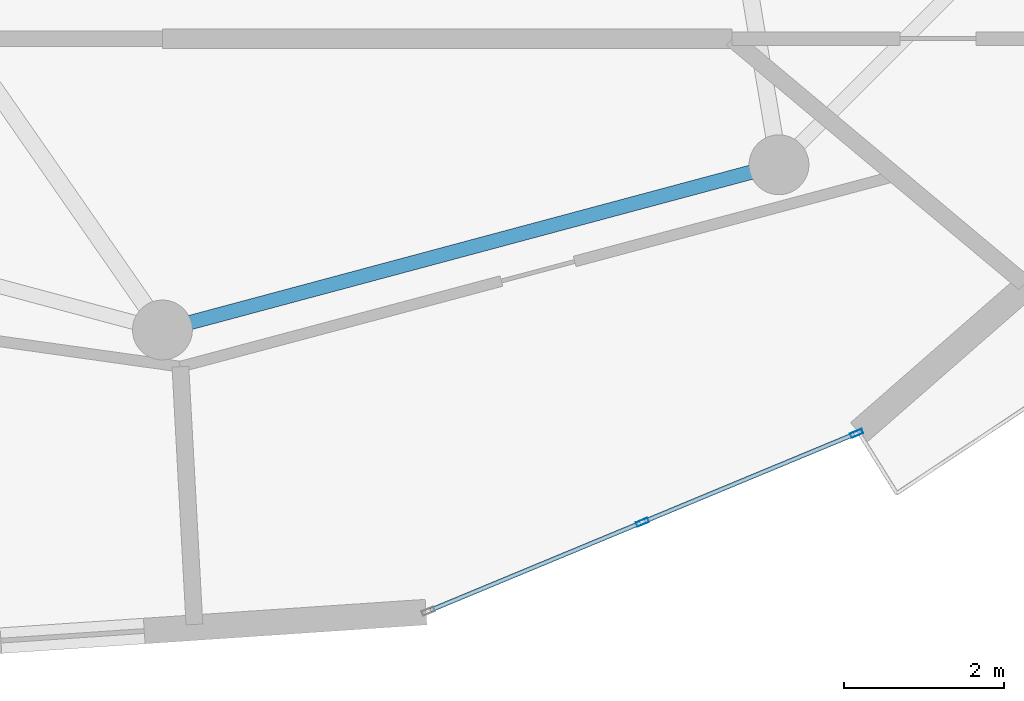
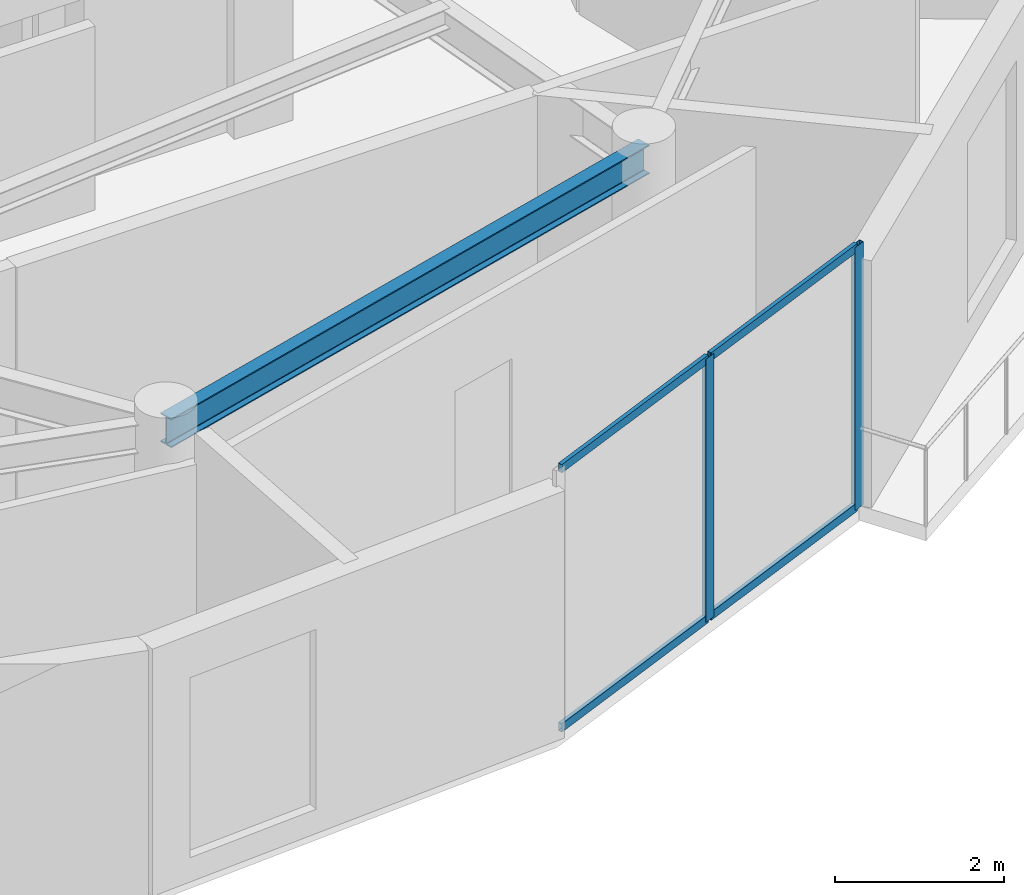
# One storey, part 6 of 22: 6 members, 1 beam, 1 element without a shape of its own.
"""IFC4 building model written with IfcOpenShell, lengths in metres."""

from ifc_helpers import new_model, si_unit, direction, frame, origin, origin_2d, place, context, subcontext, project, spatial, hollow_rectangle, i_section, extrude, source, transform, mapped, material, layer, layer_set, material_profile, profile_set, type_object, element, aggregate, save


model = new_model("IFC4")

# Units and contexts
model_context = context("Model", 3, precision=1e-05, world=origin(), true_north=direction((0.0, 1.0)))
body_context = subcontext(model_context, "Body", "Model", "MODEL_VIEW")
ifc_project = project(units=[si_unit("LENGTHUNIT", "METRE"), si_unit("AREAUNIT", "SQUARE_METRE"), si_unit("VOLUMEUNIT", "CUBIC_METRE"), si_unit("PLANEANGLEUNIT", "RADIAN"), si_unit("MASSUNIT", "GRAM", prefix="KILO")], contexts=[model_context])

# Site, building, storey
site_placement = place(None, origin())
site = spatial("IfcSite", under=ifc_project, at=site_placement, CompositionType="ELEMENT")
building_placement = place(site_placement, origin())
building = spatial("IfcBuilding", under=site, at=building_placement, Name="Solvirekh Grand Hotel", CompositionType="ELEMENT")
storey_placement = place(building_placement, frame((0.0, 0.0, 239.199951171875)))
storey = spatial("IfcBuildingStorey", under=building, at=storey_placement, Name="L62", CompositionType="ELEMENT", Elevation=239.199951171875)

# Beam
ifc_material_1 = material(Name="Steel S355", Category="steel")
ifc_material_profile_1 = material_profile(ifc_material_1, i_section(OverallWidth=0.180908203125, OverallDepth=0.4169921875, WebThickness=0.010009765625, FlangeThickness=0.01611328125, FilletRadius=0.011962890625, at=origin_2d()), Name="W410X85")
ifc_profile_set_1 = profile_set([ifc_material_profile_1], Name="Steel S355")
beam_type = type_object("IfcBeamType", Name="Spandrel_Ring_W410", PredefinedType="SPANDREL", material=ifc_profile_set_1)
beam_placement = place(storey_placement, frame((0.0, -15.449951171875, 3.362060546875), z_axis=(0.965921616143, 0.258834757072, 0.0), x_axis=(-0.258834757072, 0.965921616143, 0.0)))
element("IfcBeam", 1, at=beam_placement, inside=storey, type_object=beam_type, Name="L62 perimeter spandrel beam 10", PredefinedType="SPANDREL", context=body_context, shape_type="SweptSolid", body=[
    extrude(i_section(OverallWidth=0.180908203125, OverallDepth=0.4169921875, WebThickness=0.010009765625, FlangeThickness=0.01611328125, FilletRadius=0.011962890625, at=origin_2d()), origin(), (0.0, 0.0, 1.0), 7.99755859375),
])

# Curtain wall, members
ifc_material_2 = material(Name="Anodized Bronze Aluminium 6063-T6", Category="aluminium")
ifc_layer = layer(ifc_material_2, 0.159912109375)
ifc_layer_set = layer_set([ifc_layer], Name="Anodized Bronze Aluminium 6063-T6")
curtain_wall_type = type_object("IfcCurtainWallType", Name="CW_Sys4_HighZoneFlushBronzeCW", PredefinedType="NOTDEFINED", material=ifc_layer_set)
curtain_wall_placement = place(storey_placement, origin())
curtain_wall = element("IfcCurtainWall", 2, at=curtain_wall_placement, inside=storey, type_object=curtain_wall_type, Name="L62 unitised bronze-glass curtain wall CW-L62-C01", PredefinedType="NOTDEFINED")
ifc_material_profile_2 = material_profile(ifc_material_2, hollow_rectangle(XDim=0.06005859375, YDim=0.159912109375, WallThickness=0.0048828125, at=origin_2d()), Name="ALU RHS 160X60X5")
ifc_profile_set_2 = profile_set([ifc_material_profile_2], Name="Anodized Bronze Aluminium 6063-T6")
member_type_1 = type_object("IfcMemberType", Name="CWMullion_Sys4", PredefinedType="MULLION", material=ifc_profile_set_2)
shared_shape_1 = source(origin(), body_context, "Body", "SweptSolid", [
    extrude(hollow_rectangle(XDim=0.06005859375, YDim=0.159912109375, WallThickness=0.0048828125, at=origin_2d()), origin(), (0.0, 0.0, 1.0), 3.800048828125),
])
member_1_placement = place(storey_placement, frame((6.014404296875, -17.85888671875, 0.0), z_axis=(0.0, 0.0, 1.0), x_axis=(-0.383514713871, 0.923534766126, 0.0)))
member_1 = element("IfcMember", 3, at=member_1_placement, type_object=member_type_1, Name="U04 mullion 2", PredefinedType="MULLION", context=body_context, shape_type="MappedRepresentation", body=[
    mapped(shared_shape_1, transform((0.0, 0.0, 0.0), x_axis=(1.0, 0.0, 0.0), y_axis=(0.0, 1.0, 0.0), z_axis=(0.0, 0.0, 1.0), scale=1.0)),
])
member_2_placement = place(storey_placement, frame((8.6982421875, -16.744384765625, 0.0), z_axis=(0.0, 0.0, 1.0), x_axis=(-0.383514713871, 0.923534766126, 0.0)))
member_2 = element("IfcMember", 4, at=member_2_placement, type_object=member_type_1, Name="U04 mullion 3", PredefinedType="MULLION", context=body_context, shape_type="MappedRepresentation", body=[
    mapped(shared_shape_1, transform((0.0, 0.0, 0.0), x_axis=(1.0, 0.0, 0.0), y_axis=(0.0, 1.0, 0.0), z_axis=(0.0, 0.0, 1.0), scale=1.0)),
])
ifc_material_profile_3 = material_profile(ifc_material_2, hollow_rectangle(XDim=0.054931640625, YDim=0.1201171875, WallThickness=0.00390625, at=origin_2d()), Name="ALU RHS 120X55X4")
ifc_profile_set_3 = profile_set([ifc_material_profile_3], Name="Anodized Bronze Aluminium 6063-T6")
member_type_2 = type_object("IfcMemberType", Name="CWTransom_Sys4", PredefinedType="USERDEFINED", material=ifc_profile_set_3)
shared_shape_2 = source(origin(), body_context, "Body", "SweptSolid", [
    extrude(hollow_rectangle(XDim=0.054931640625, YDim=0.1201171875, WallThickness=0.00390625, at=origin_2d()), origin(), (0.0, 0.0, 1.0), 2.845947265625),
])
member_3_placement = place(storey_placement, frame((3.3583984375, -18.9619140625, 0.027587890625), z_axis=(0.923558419422, 0.383457749844, 0.0), x_axis=(-0.383457749844, 0.923558419422, 0.0)))
member_3 = element("IfcMember", 5, at=member_3_placement, type_object=member_type_2, Name="U04 transom 1.1", ObjectType="TRANSOM", PredefinedType="USERDEFINED", context=body_context, shape_type="MappedRepresentation", body=[
    mapped(shared_shape_2, transform((0.0, 0.0, 0.0), x_axis=(1.0, 0.0, 0.0), y_axis=(0.0, 1.0, 0.0), z_axis=(0.0, 0.0, 1.0), scale=1.0)),
])
member_4_placement = place(storey_placement, frame((3.3583984375, -18.9619140625, 3.7724609375), z_axis=(0.923558419422, 0.383457749844, 0.0), x_axis=(-0.383457749844, 0.923558419422, 0.0)))
member_4 = element("IfcMember", 6, at=member_4_placement, type_object=member_type_2, Name="U04 transom 1.2", ObjectType="TRANSOM", PredefinedType="USERDEFINED", context=body_context, shape_type="MappedRepresentation", body=[
    mapped(shared_shape_2, transform((0.0, 0.0, 0.0), x_axis=(1.0, 0.0, 0.0), y_axis=(0.0, 1.0, 0.0), z_axis=(0.0, 0.0, 1.0), scale=1.0)),
])
member_5_placement = place(storey_placement, frame((6.042236328125, -17.847412109375, 0.027587890625), z_axis=(0.923558419422, 0.383457749844, 0.0), x_axis=(-0.383457749844, 0.923558419422, 0.0)))
member_5 = element("IfcMember", 7, at=member_5_placement, type_object=member_type_2, Name="U04 transom 2.1", ObjectType="TRANSOM", PredefinedType="USERDEFINED", context=body_context, shape_type="MappedRepresentation", body=[
    mapped(shared_shape_2, transform((0.0, 0.0, 0.0), x_axis=(1.0, 0.0, 0.0), y_axis=(0.0, 1.0, 0.0), z_axis=(0.0, 0.0, 1.0), scale=1.0)),
])
member_6_placement = place(storey_placement, frame((6.042236328125, -17.847412109375, 3.7724609375), z_axis=(0.923558419422, 0.383457749844, 0.0), x_axis=(-0.383457749844, 0.923558419422, 0.0)))
member_6 = element("IfcMember", 8, at=member_6_placement, type_object=member_type_2, Name="U04 transom 2.2", ObjectType="TRANSOM", PredefinedType="USERDEFINED", context=body_context, shape_type="MappedRepresentation", body=[
    mapped(shared_shape_2, transform((0.0, 0.0, 0.0), x_axis=(1.0, 0.0, 0.0), y_axis=(0.0, 1.0, 0.0), z_axis=(0.0, 0.0, 1.0), scale=1.0)),
])
aggregate(curtain_wall, [member_1, member_2, member_3, member_4, member_5, member_6])

save(model, "model.ifc")
